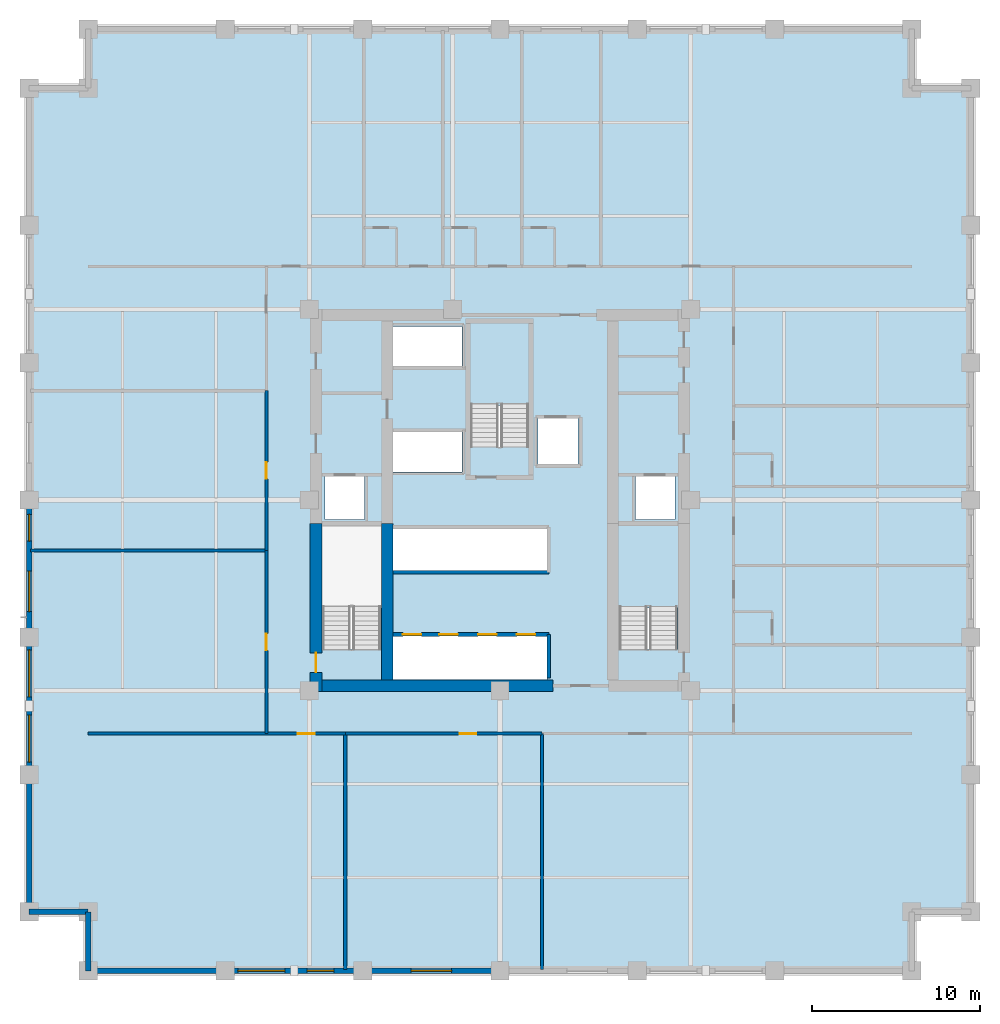
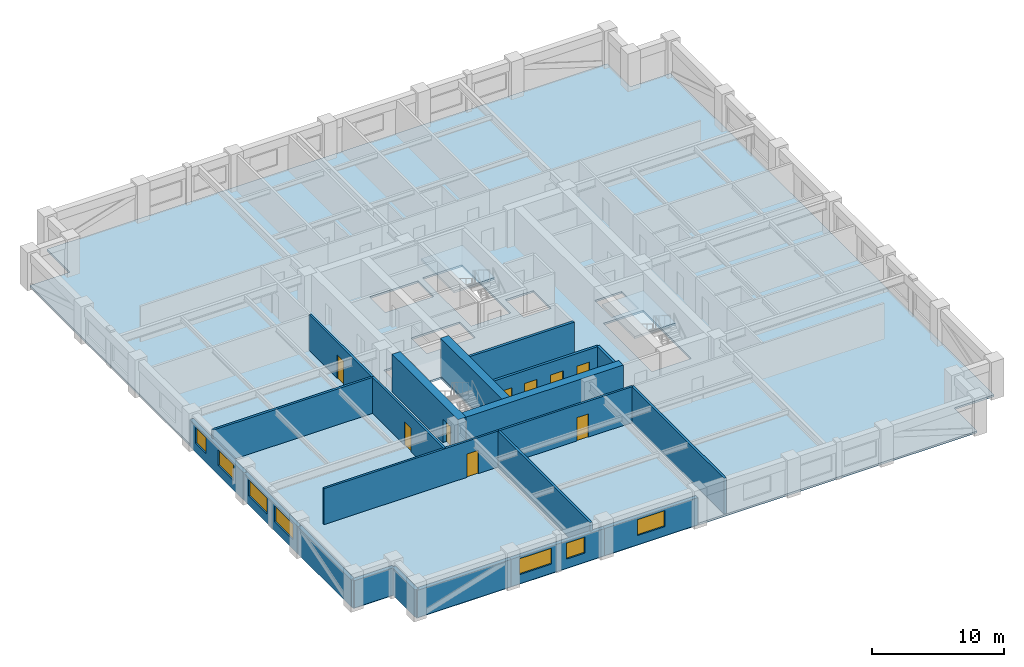
# One storey, part 3 of 8: 21 walls, 9 doors, 7 windows, 3 slabs, 16 openings, 2 elements without a shape of their own.
"""IFC4 building model written with IfcOpenShell, lengths in metres."""

from ifc_helpers import new_model, si_unit, direction, frame, frame_2d, origin, place, context, subcontext, project, spatial, polyline, rectangle, outline, extrude, material, layer, layer_set, type_object, element, fill, aggregate, save


model = new_model("IFC4")

# Units and contexts
model_context = context("Model", 3, precision=1e-05, world=origin(), true_north=direction((0.0, 1.0)))
body_context = subcontext(model_context, "Body", "Model", "MODEL_VIEW")
ifc_project = project(units=[si_unit("LENGTHUNIT", "METRE"), si_unit("AREAUNIT", "SQUARE_METRE"), si_unit("VOLUMEUNIT", "CUBIC_METRE"), si_unit("PLANEANGLEUNIT", "RADIAN"), si_unit("MASSUNIT", "GRAM", prefix="KILO")], contexts=[model_context])

# Site, building, storey
site_placement = place(None, origin())
site = spatial("IfcSite", under=ifc_project, at=site_placement, CompositionType="ELEMENT")
building_placement = place(site_placement, origin())
building = spatial("IfcBuilding", under=site, at=building_placement, Name="Nhamokura Convention Tower", CompositionType="ELEMENT")
storey_placement = place(building_placement, frame((0.0, 0.0, 56.35009765625)))
storey = spatial("IfcBuildingStorey", under=building, at=storey_placement, Name="L12", CompositionType="ELEMENT", Elevation=56.35009765625)

# Slab
ifc_material_1 = material(Name="Concrete C40/50", Category="concrete")
ifc_layer_1 = layer(ifc_material_1, 0.179931640625)
ifc_layer_set_1 = layer_set([ifc_layer_1], Name="HotelFloorSlab_180")
slab_type_1 = type_object("IfcSlabType", Name="HotelFloorSlab_180", PredefinedType="FLOOR", material=ifc_layer_set_1)
slab_1_placement = place(storey_placement, frame((0.0, 0.0, -0.18017578125)))
element("IfcSlab", 1, at=slab_1_placement, inside=storey, type_object=slab_type_1, Name="L12 Structural Floor Slab", PredefinedType="FLOOR", context=body_context, shape_type="SweptSolid", body=[
    extrude(outline(polyline([(7.5, 4.0), (56.5, 4.0), (56.5, 7.5), (60.0, 7.5), (60.0, 56.5), (56.5, 56.5), (56.5, 60.0), (7.5, 60.0), (7.5, 56.5), (4.0, 56.5), (4.0, 7.5), (7.5, 7.5), (7.5, 4.0)]), holes=[polyline([(24.89990234375, 23.10009765625), (24.89990234375, 30.449951171875), (21.449951171875, 30.449951171875), (21.449951171875, 23.10009765625), (24.89990234375, 23.10009765625)]), polyline([(42.550048828125, 23.10009765625), (42.550048828125, 30.449951171875), (39.10009765625, 30.449951171875), (39.10009765625, 23.10009765625), (42.550048828125, 23.10009765625)]), polyline([(33.699951171875, 35.14990234375), (33.699951171875, 42.5), (30.25, 42.5), (30.25, 35.14990234375), (33.699951171875, 35.14990234375)]), polyline([(21.60009765625, 30.85009765625), (23.949951171875, 30.85009765625), (23.949951171875, 33.39990234375), (21.60009765625, 33.39990234375), (21.60009765625, 30.85009765625)]), polyline([(40.050048828125, 30.85009765625), (42.39990234375, 30.85009765625), (42.39990234375, 33.39990234375), (40.050048828125, 33.39990234375), (40.050048828125, 30.85009765625)]), polyline([(34.25, 34.14990234375), (36.64990234375, 34.14990234375), (36.64990234375, 36.85009765625), (34.25, 36.85009765625), (34.25, 34.14990234375)]), polyline([(25.52001953125, 21.320068359375), (34.800048828125, 21.320068359375), (34.800048828125, 23.89990234375), (25.52001953125, 23.89990234375), (25.52001953125, 21.320068359375)]), polyline([(25.52001953125, 27.800048828125), (34.800048828125, 27.800048828125), (34.800048828125, 30.300048828125), (25.52001953125, 30.300048828125), (25.52001953125, 27.800048828125)]), polyline([(25.52001953125, 33.679931640625), (29.75, 33.679931640625), (29.75, 36.050048828125), (25.52001953125, 36.050048828125), (25.52001953125, 33.679931640625)]), polyline([(25.52001953125, 39.949951171875), (29.75, 39.949951171875), (29.75, 42.320068359375), (25.52001953125, 42.320068359375), (25.52001953125, 39.949951171875)])]), origin(), (0.0, 0.0, 1.0), 0.18017578125),
])

# Stair, slab
ifc_material_2 = material(Name="Concrete C40/50", Category="concrete")
stair_type = type_object("IfcStairType", Name="TowerCoreStair_1650", PredefinedType="HALF_TURN_STAIR", material=ifc_material_2)
stair_1_placement = place(storey_placement, origin())
stair_1 = element("IfcStair", 2, at=stair_1_placement, inside=storey, type_object=stair_type, Name="L12 East Core Smokeproof Stair ST-02", PredefinedType="HALF_TURN_STAIR")
ifc_material_3 = material(Name="Concrete C40/50", Category="concrete")
ifc_layer_2 = layer(ifc_material_3, 0.199951171875)
ifc_layer_set_2 = layer_set([ifc_layer_2], Name="StairLandingSlab_200")
slab_type_2 = type_object("IfcSlabType", Name="StairLandingSlab_200", PredefinedType="LANDING", material=ifc_layer_set_2)
slab_2_placement = place(storey_placement, frame((0.0, 0.0, 1.5498046875)))
slab_2 = element("IfcSlab", 3, at=slab_2_placement, type_object=slab_type_2, Name="ST-02 landing 1", PredefinedType="LANDING", context=body_context, shape_type="SweptSolid", body=[
    extrude(outline(polyline([(42.6298828125, 25.5849609375), (42.6298828125, 30.530029296875), (39.02001953125, 30.530029296875), (39.02001953125, 25.5849609375), (42.6298828125, 25.5849609375)])), origin(), (0.0, 0.0, 1.0), 0.2001953125),
])
aggregate(stair_1, [slab_2])

stair_2_placement = place(storey_placement, origin())
stair_2 = element("IfcStair", 4, at=stair_2_placement, inside=storey, type_object=stair_type, Name="L12 North Core Smokeproof Stair ST-03", PredefinedType="HALF_TURN_STAIR")
slab_3_placement = place(storey_placement, frame((0.0, 0.0, 1.5498046875)))
slab_3 = element("IfcSlab", 5, at=slab_3_placement, type_object=slab_type_2, Name="ST-03 landing 1", PredefinedType="LANDING", context=body_context, shape_type="SweptSolid", body=[
    extrude(outline(polyline([(33.780029296875, 37.635009765625), (33.780029296875, 42.580078125), (30.169921875, 42.580078125), (30.169921875, 37.635009765625), (33.780029296875, 37.635009765625)])), origin(), (0.0, 0.0, 1.0), 0.2001953125),
])
aggregate(stair_2, [slab_3])

# Wall
ifc_material_4 = material(Name="Bronze-pigmented precast concrete C45/55", Category="concrete")
ifc_layer_3 = layer(ifc_material_4, 0.320068359375)
ifc_layer_set_3 = layer_set([ifc_layer_3], Name="BronzePrecastSpandrel_320")
wall_type_1 = type_object("IfcWallType", Name="BronzePrecastSpandrel_320", PredefinedType="USERDEFINED", material=ifc_layer_set_3)
wall_1_placement = place(storey_placement, frame((15.666748046875, 4.0, 0.0), z_axis=(0.0, 0.0, 1.0), x_axis=(-1.0, 0.0, 0.0)))
element("IfcWall", 6, at=wall_1_placement, inside=storey, type_object=wall_type_1, Name="L12 Braced-Bay Precast Wall SOUTH 0", ObjectType="SPANDREL_WALL", PredefinedType="USERDEFINED", context=body_context, shape_type="SweptSolid", body=[
    extrude(rectangle(XDim=8.166748046875, YDim=0.320068359375, at=frame_2d((4.08349609375, 0.0))), origin(), (0.0, 0.0, 1.0), 2.52001953125),
])

# Wall, openings, windows
wall_2_placement = place(storey_placement, frame((23.833251953125, 4.0, 0.0), z_axis=(0.0, 0.0, 1.0), x_axis=(-1.0, 0.0, 0.0)))
wall_2 = element("IfcWall", 7, at=wall_2_placement, inside=storey, type_object=wall_type_1, Name="L12 Masonry-Frame Wall SOUTH 1", ObjectType="SPANDREL_WALL", PredefinedType="USERDEFINED", context=body_context, shape_type="SweptSolid", body=[
    extrude(rectangle(XDim=8.16650390625, YDim=0.320068359375, at=frame_2d((4.083251953125, 0.0))), origin(), (0.0, 0.0, 1.0), 2.52001953125),
])
opening_1_placement = place(wall_2_placement, frame((1.708251953125, 0.0, 0.85009765625)))
opening_1 = element("IfcOpeningElement", 8, at=opening_1_placement, cuts=wall_2, Name="Opening W-11", PredefinedType="OPENING", context=body_context, shape_type="SweptSolid", body=[
    extrude(rectangle(XDim=1.60009765625, YDim=1.469970703125, at=frame_2d((0.800048828125, 0.73486328125))), frame((0.0, 0.169921875, 0.0), z_axis=(0.0, -1.0, 0.0), x_axis=(1.0, 0.0, 0.0)), (0.0, 0.0, 1.0), 0.340087890625),
])
opening_2_placement = place(wall_2_placement, frame((4.625, 0.0, 0.85009765625)))
opening_2 = element("IfcOpeningElement", 9, at=opening_2_placement, cuts=wall_2, Name="Opening W-04", PredefinedType="OPENING", context=body_context, shape_type="SweptSolid", body=[
    extrude(rectangle(XDim=2.800048828125, YDim=1.469970703125, at=frame_2d((1.39990234375, 0.73486328125))), frame((0.0, 0.169921875, 0.0), z_axis=(0.0, -1.0, 0.0), x_axis=(1.0, 0.0, 0.0)), (0.0, 0.0, 1.0), 0.340087890625),
])
ifc_material_5 = material(Name="Solar-control bronze low-E double glass", Category="glass")
window_type_1 = type_object("IfcWindowType", Name="HotelSuiteWindow_2800", PartitioningType="DOUBLE_PANEL_VERTICAL", PredefinedType="WINDOW", material=ifc_material_5)
window_1_placement = place(opening_2_placement, origin())
window_1 = element("IfcWindow", 10, at=window_1_placement, inside=storey, type_object=window_type_1, Name="L12 Facade Window SOUTH 1-3", OverallHeight=1.469970703125, OverallWidth=2.800048828125, PartitioningType="SINGLE_PANEL", PredefinedType="WINDOW", context=body_context, shape_type="SweptSolid", body=[
    extrude(rectangle(XDim=2.800048828125, YDim=1.469970703125, at=frame_2d((1.39990234375, 0.73486328125))), frame((0.0, 0.030029296875, 0.0), z_axis=(0.0, -1.0, 0.0), x_axis=(1.0, 0.0, 0.0)), (0.0, 0.0, 1.0), 0.06005859375),
])
fill(opening_2, window_1)
ifc_material_6 = material(Name="Solar-control bronze low-E double glass", Category="glass")
window_type_2 = type_object("IfcWindowType", Name="NotchCornerWindow_1600", PartitioningType="SINGLE_PANEL", PredefinedType="WINDOW", material=ifc_material_6)
window_2_placement = place(opening_1_placement, origin())
window_2 = element("IfcWindow", 11, at=window_2_placement, inside=storey, type_object=window_type_2, Name="L12 Facade Window SOUTH 1-2", OverallHeight=1.469970703125, OverallWidth=1.60009765625, PartitioningType="SINGLE_PANEL", PredefinedType="WINDOW", context=body_context, shape_type="SweptSolid", body=[
    extrude(rectangle(XDim=1.60009765625, YDim=1.469970703125, at=frame_2d((0.800048828125, 0.73486328125))), frame((0.0, 0.030029296875, 0.0), z_axis=(0.0, -1.0, 0.0), x_axis=(1.0, 0.0, 0.0)), (0.0, 0.0, 1.0), 0.06005859375),
])
fill(opening_1, window_2)

# Wall, opening, window
wall_3_placement = place(storey_placement, frame((32.0, 4.0, 0.0), z_axis=(0.0, 0.0, 1.0), x_axis=(-1.0, 0.0, 0.0)))
wall_3 = element("IfcWall", 12, at=wall_3_placement, inside=storey, type_object=wall_type_1, Name="L12 Masonry-Frame Wall SOUTH 2", ObjectType="SPANDREL_WALL", PredefinedType="USERDEFINED", context=body_context, shape_type="SweptSolid", body=[
    extrude(rectangle(XDim=8.166748046875, YDim=0.320068359375, at=frame_2d((4.08349609375, 0.0))), origin(), (0.0, 0.0, 1.0), 2.52001953125),
])
opening_3_placement = place(wall_3_placement, frame((2.88330078125, 0.0, 0.85009765625)))
opening_3 = element("IfcOpeningElement", 13, at=opening_3_placement, cuts=wall_3, Name="Opening W-03", PredefinedType="OPENING", context=body_context, shape_type="SweptSolid", body=[
    extrude(rectangle(XDim=2.39990234375, YDim=1.469970703125, at=frame_2d((1.199951171875, 0.73486328125))), frame((0.0, 0.169921875, 0.0), z_axis=(0.0, -1.0, 0.0), x_axis=(1.0, 0.0, 0.0)), (0.0, 0.0, 1.0), 0.340087890625),
])
ifc_material_7 = material(Name="Solar-control bronze low-E double glass", Category="glass")
window_type_3 = type_object("IfcWindowType", Name="HotelBayWindow_2400", PartitioningType="DOUBLE_PANEL_VERTICAL", PredefinedType="WINDOW", material=ifc_material_7)
window_3_placement = place(opening_3_placement, origin())
window_3 = element("IfcWindow", 14, at=window_3_placement, inside=storey, type_object=window_type_3, Name="L12 Facade Window SOUTH 2", OverallHeight=1.469970703125, OverallWidth=2.39990234375, PartitioningType="SINGLE_PANEL", PredefinedType="WINDOW", context=body_context, shape_type="SweptSolid", body=[
    extrude(rectangle(XDim=2.39990234375, YDim=1.469970703125, at=frame_2d((1.199951171875, 0.73486328125))), frame((0.0, 0.030029296875, 0.0), z_axis=(0.0, -1.0, 0.0), x_axis=(1.0, 0.0, 0.0)), (0.0, 0.0, 1.0), 0.06005859375),
])
fill(opening_3, window_3)

# Wall
wall_4_placement = place(storey_placement, frame((4.0, 7.5, 0.0), z_axis=(0.0, 0.0, 1.0), x_axis=(0.0, 1.0, 0.0)))
element("IfcWall", 15, at=wall_4_placement, inside=storey, type_object=wall_type_1, Name="L12 Braced-Bay Precast Wall WEST 0", ObjectType="SPANDREL_WALL", PredefinedType="USERDEFINED", context=body_context, shape_type="SweptSolid", body=[
    extrude(rectangle(XDim=8.166748046875, YDim=0.320068359375, at=frame_2d((4.08349609375, 0.0))), origin(), (0.0, 0.0, 1.0), 2.52001953125),
])

# Wall, openings, windows
wall_5_placement = place(storey_placement, frame((4.0, 15.666748046875, 0.0), z_axis=(0.0, 0.0, 1.0), x_axis=(0.0, 1.0, 0.0)))
wall_5 = element("IfcWall", 16, at=wall_5_placement, inside=storey, type_object=wall_type_1, Name="L12 Masonry-Frame Wall WEST 1", ObjectType="SPANDREL_WALL", PredefinedType="USERDEFINED", context=body_context, shape_type="SweptSolid", body=[
    extrude(rectangle(XDim=8.16650390625, YDim=0.320068359375, at=frame_2d((4.083251953125, 0.0))), origin(), (0.0, 0.0, 1.0), 2.52001953125),
])
opening_4_placement = place(wall_5_placement, frame((0.74169921875, 0.0, 0.85009765625)))
opening_4 = element("IfcOpeningElement", 17, at=opening_4_placement, cuts=wall_5, Name="Opening W-04", PredefinedType="OPENING", context=body_context, shape_type="SweptSolid", body=[
    extrude(rectangle(XDim=2.800048828125, YDim=1.469970703125, at=frame_2d((1.39990234375, 0.73486328125))), frame((0.0, 0.169921875, 0.0), z_axis=(0.0, -1.0, 0.0), x_axis=(1.0, 0.0, 0.0)), (0.0, 0.0, 1.0), 0.340087890625),
])
opening_5_placement = place(wall_5_placement, frame((4.625, 0.0, 0.85009765625)))
opening_5 = element("IfcOpeningElement", 18, at=opening_5_placement, cuts=wall_5, Name="Opening W-04", PredefinedType="OPENING", context=body_context, shape_type="SweptSolid", body=[
    extrude(rectangle(XDim=2.800048828125, YDim=1.469970703125, at=frame_2d((1.39990234375, 0.73486328125))), frame((0.0, 0.169921875, 0.0), z_axis=(0.0, -1.0, 0.0), x_axis=(1.0, 0.0, 0.0)), (0.0, 0.0, 1.0), 0.340087890625),
])
window_4_placement = place(opening_4_placement, origin())
window_4 = element("IfcWindow", 19, at=window_4_placement, inside=storey, type_object=window_type_1, Name="L12 Facade Window WEST 1-1", OverallHeight=1.469970703125, OverallWidth=2.800048828125, PartitioningType="SINGLE_PANEL", PredefinedType="WINDOW", context=body_context, shape_type="SweptSolid", body=[
    extrude(rectangle(XDim=2.800048828125, YDim=1.469970703125, at=frame_2d((1.39990234375, 0.73486328125))), frame((0.0, 0.030029296875, 0.0), z_axis=(0.0, -1.0, 0.0), x_axis=(1.0, 0.0, 0.0)), (0.0, 0.0, 1.0), 0.06005859375),
])
fill(opening_4, window_4)
window_5_placement = place(opening_5_placement, origin())
window_5 = element("IfcWindow", 20, at=window_5_placement, inside=storey, type_object=window_type_1, Name="L12 Facade Window WEST 1-2", OverallHeight=1.469970703125, OverallWidth=2.800048828125, PartitioningType="SINGLE_PANEL", PredefinedType="WINDOW", context=body_context, shape_type="SweptSolid", body=[
    extrude(rectangle(XDim=2.800048828125, YDim=1.469970703125, at=frame_2d((1.39990234375, 0.73486328125))), frame((0.0, 0.030029296875, 0.0), z_axis=(0.0, -1.0, 0.0), x_axis=(1.0, 0.0, 0.0)), (0.0, 0.0, 1.0), 0.06005859375),
])
fill(opening_5, window_5)

wall_6_placement = place(storey_placement, frame((4.0, 23.833251953125, 0.0), z_axis=(0.0, 0.0, 1.0), x_axis=(0.0, 1.0, 0.0)))
wall_6 = element("IfcWall", 21, at=wall_6_placement, inside=storey, type_object=wall_type_1, Name="L12 Masonry-Frame Wall WEST 2", ObjectType="SPANDREL_WALL", PredefinedType="USERDEFINED", context=body_context, shape_type="SweptSolid", body=[
    extrude(rectangle(XDim=8.166748046875, YDim=0.320068359375, at=frame_2d((4.08349609375, 0.0))), origin(), (0.0, 0.0, 1.0), 2.52001953125),
])
opening_6_placement = place(wall_6_placement, frame((1.533203125, 0.0, 0.85009765625)))
opening_6 = element("IfcOpeningElement", 22, at=opening_6_placement, cuts=wall_6, Name="Opening W-03", PredefinedType="OPENING", context=body_context, shape_type="SweptSolid", body=[
    extrude(rectangle(XDim=2.39990234375, YDim=1.469970703125, at=frame_2d((1.199951171875, 0.73486328125))), frame((0.0, 0.169921875, 0.0), z_axis=(0.0, -1.0, 0.0), x_axis=(1.0, 0.0, 0.0)), (0.0, 0.0, 1.0), 0.340087890625),
])
opening_7_placement = place(wall_6_placement, frame((5.716796875, 0.0, 0.85009765625)))
opening_7 = element("IfcOpeningElement", 23, at=opening_7_placement, cuts=wall_6, Name="Opening W-11", PredefinedType="OPENING", context=body_context, shape_type="SweptSolid", body=[
    extrude(rectangle(XDim=1.60009765625, YDim=1.469970703125, at=frame_2d((0.800048828125, 0.73486328125))), frame((0.0, 0.169921875, 0.0), z_axis=(0.0, -1.0, 0.0), x_axis=(1.0, 0.0, 0.0)), (0.0, 0.0, 1.0), 0.340087890625),
])
window_6_placement = place(opening_6_placement, origin())
window_6 = element("IfcWindow", 24, at=window_6_placement, inside=storey, type_object=window_type_3, Name="L12 Facade Window WEST 2-1", OverallHeight=1.469970703125, OverallWidth=2.39990234375, PartitioningType="SINGLE_PANEL", PredefinedType="WINDOW", context=body_context, shape_type="SweptSolid", body=[
    extrude(rectangle(XDim=2.39990234375, YDim=1.469970703125, at=frame_2d((1.199951171875, 0.73486328125))), frame((0.0, 0.030029296875, 0.0), z_axis=(0.0, -1.0, 0.0), x_axis=(1.0, 0.0, 0.0)), (0.0, 0.0, 1.0), 0.06005859375),
])
fill(opening_6, window_6)
window_7_placement = place(opening_7_placement, origin())
window_7 = element("IfcWindow", 25, at=window_7_placement, inside=storey, type_object=window_type_2, Name="L12 Facade Window WEST 2-2", OverallHeight=1.469970703125, OverallWidth=1.60009765625, PartitioningType="SINGLE_PANEL", PredefinedType="WINDOW", context=body_context, shape_type="SweptSolid", body=[
    extrude(rectangle(XDim=1.60009765625, YDim=1.469970703125, at=frame_2d((0.800048828125, 0.73486328125))), frame((0.0, 0.030029296875, 0.0), z_axis=(0.0, -1.0, 0.0), x_axis=(1.0, 0.0, 0.0)), (0.0, 0.0, 1.0), 0.06005859375),
])
fill(opening_7, window_7)

# Walls
for number, where, z_axis, x_axis, name in (
    (26, (7.5, 4.0, 0.0), (0.0, 0.0, 1.0), (0.0, 1.0, 0.0), "L12 Notched Corner Wall SW1"),
    (27, (7.5, 7.5, 0.0), (0.0, 0.0, 1.0), (-1.0, 0.0, 0.0), "L12 Notched Corner Wall SW2"),
):
    element("IfcWall", number, at=place(storey_placement, frame(where, z_axis=z_axis, x_axis=x_axis)), inside=storey, type_object=wall_type_1, Name=name, ObjectType="SPANDREL_WALL", PredefinedType="USERDEFINED", context=body_context, shape_type="SweptSolid", body=[
        extrude(rectangle(XDim=3.5, YDim=0.320068359375, at=frame_2d((1.75, 0.0))), origin(), (0.0, 0.0, 1.0), 2.52001953125),
    ])

# Wall, opening, door
ifc_material_8 = material(Name="Concrete C70/85", Category="concrete")
ifc_layer_4 = layer(ifc_material_8, 0.699951171875)
ifc_layer_set_4 = layer_set([ifc_layer_4], Name="CoreShearWall_700")
wall_type_2 = type_object("IfcWallType", Name="CoreShearWall_700", PredefinedType="SHEAR", material=ifc_layer_set_4)
wall_7_placement = place(storey_placement, frame((21.06005859375, 20.60009765625, 0.0), z_axis=(0.0, 0.0, 1.0), x_axis=(0.0, 1.0, 0.0)))
wall_7 = element("IfcWall", 28, at=wall_7_placement, inside=storey, type_object=wall_type_2, Name="L12 Core Shear Wall CW-WS", PredefinedType="SHEAR", context=body_context, shape_type="SweptSolid", body=[
    extrude(rectangle(XDim=10.0, YDim=0.699951171875, at=frame_2d((5.0, 0.0))), origin(), (0.0, 0.0, 1.0), 3.5),
])
opening_8_placement = place(wall_7_placement, frame((1.14990234375, 0.0, 0.0)))
opening_8 = element("IfcOpeningElement", 29, at=opening_8_placement, cuts=wall_7, Name="Opening D-04", PredefinedType="OPENING", context=body_context, shape_type="SweptSolid", body=[
    extrude(rectangle(XDim=1.14990234375, YDim=2.14990234375, at=frame_2d((0.574951171875, 1.074951171875))), frame((0.0, 0.35986328125, 0.0), z_axis=(0.0, -1.0, 0.0), x_axis=(1.0, 0.0, 0.0)), (0.0, 0.0, 1.0), 0.719970703125),
])
ifc_material_9 = material(Name="Fire-rated steel door", Category="steel")
door_type_1 = type_object("IfcDoorType", Name="StairSmokeDoor_1150", OperationType="NOTDEFINED", PredefinedType="DOOR", material=ifc_material_9)
door_1_placement = place(opening_8_placement, origin())
door_1 = element("IfcDoor", 30, at=door_1_placement, inside=storey, type_object=door_type_1, Name="L12 Core Door INT-L12-D-ST01", OperationType="SINGLE_SWING_LEFT", OverallHeight=2.14990234375, OverallWidth=1.14990234375, PredefinedType="DOOR", context=body_context, shape_type="SweptSolid", body=[
    extrude(rectangle(XDim=1.14990234375, YDim=2.14990234375, at=frame_2d((0.574951171875, 1.074951171875))), frame((0.0, 0.02490234375, 0.0), z_axis=(0.0, -1.0, 0.0), x_axis=(1.0, 0.0, 0.0)), (0.0, 0.0, 1.0), 0.050048828125),
])
fill(opening_8, door_1)

# Walls
wall_8_placement = place(storey_placement, frame((21.409912109375, 20.949951171875, 0.0), z_axis=(0.0, 0.0, 1.0), x_axis=(1.0, 0.0, 0.0)))
element("IfcWall", 31, at=wall_8_placement, inside=storey, type_object=wall_type_2, Name="L12 Core Shear Wall CW-S1", PredefinedType="SHEAR", context=body_context, shape_type="SweptSolid", body=[
    extrude(rectangle(XDim=13.739990234375, YDim=0.699951171875, at=frame_2d((6.8701171875, 0.0))), origin(), (0.0, 0.0, 1.0), 3.5),
])
wall_9_placement = place(storey_placement, frame((25.2900390625, 21.300048828125, 0.0), z_axis=(0.0, 0.0, 1.0), x_axis=(0.0, 1.0, 0.0)))
element("IfcWall", 32, at=wall_9_placement, inside=storey, type_object=wall_type_2, Name="L12 Core Shear Wall CW-IWS", PredefinedType="SHEAR", context=body_context, shape_type="SweptSolid", body=[
    extrude(rectangle(XDim=9.300048828125, YDim=0.699951171875, at=frame_2d((4.64990234375, 0.0))), origin(), (0.0, 0.0, 1.0), 3.5),
])

# Wall, opening, door
ifc_material_10 = material(Name="Fire-rated gypsum and masonry partition", Category="masonry")
ifc_layer_5 = layer(ifc_material_10, 0.179931640625)
ifc_layer_set_5 = layer_set([ifc_layer_5], Name="CorridorRatedWall_180")
wall_type_3 = type_object("IfcWallType", Name="CorridorRatedWall_180", PredefinedType="STANDARD", material=ifc_layer_set_5)
wall_10_placement = place(storey_placement, frame((7.5, 18.10009765625, 0.0), z_axis=(0.0, 0.0, 1.0), x_axis=(1.0, 0.0, 0.0)))
wall_10 = element("IfcWall", 33, at=wall_10_placement, inside=storey, type_object=wall_type_3, Name="L12 Wall INT-L12-CW-S00", PredefinedType="STANDARD", context=body_context, shape_type="SweptSolid", body=[
    extrude(rectangle(XDim=15.300048828125, YDim=0.179931640625, at=frame_2d((7.64990234375, 0.0))), origin(), (0.0, 0.0, 1.0), 3.31982421875),
])
opening_9_placement = place(wall_10_placement, frame((12.47509765625, 0.0, 0.0)))
opening_9 = element("IfcOpeningElement", 34, at=opening_9_placement, cuts=wall_10, Name="Opening D-07", PredefinedType="OPENING", context=body_context, shape_type="SweptSolid", body=[
    extrude(rectangle(XDim=1.0, YDim=2.14990234375, at=frame_2d((0.5, 1.074951171875))), frame((0.0, 0.099853515625, 0.0), z_axis=(0.0, -1.0, 0.0), x_axis=(1.0, 0.0, 0.0)), (0.0, 0.0, 1.0), 0.199951171875),
])
ifc_material_11 = material(Name="Solid oak hardwood", Category="wood")
door_type_2 = type_object("IfcDoorType", Name="HotelSuiteEntryDoor_1000", OperationType="NOTDEFINED", PredefinedType="DOOR", material=ifc_material_11)
door_2_placement = place(opening_9_placement, origin())
door_2 = element("IfcDoor", 35, at=door_2_placement, inside=storey, type_object=door_type_2, Name="L12 Conference Salon S01 Door", OperationType="SINGLE_SWING_LEFT", OverallHeight=2.14990234375, OverallWidth=1.0, PredefinedType="DOOR", context=body_context, shape_type="SweptSolid", body=[
    extrude(rectangle(XDim=1.0, YDim=2.14990234375, at=frame_2d((0.5, 1.074951171875))), frame((0.0, 0.02490234375, 0.0), z_axis=(0.0, -1.0, 0.0), x_axis=(1.0, 0.0, 0.0)), (0.0, 0.0, 1.0), 0.050048828125),
])
fill(opening_9, door_2)

wall_11_placement = place(storey_placement, frame((22.800048828125, 18.10009765625, 0.0), z_axis=(0.0, 0.0, 1.0), x_axis=(1.0, 0.0, 0.0)))
wall_11 = element("IfcWall", 36, at=wall_11_placement, inside=storey, type_object=wall_type_3, Name="L12 Wall INT-L12-CW-S01", PredefinedType="STANDARD", context=body_context, shape_type="SweptSolid", body=[
    extrude(rectangle(XDim=11.699951171875, YDim=0.179931640625, at=frame_2d((5.85009765625, 0.0))), origin(), (0.0, 0.0, 1.0), 3.31982421875),
])
opening_10_placement = place(wall_11_placement, frame((6.800048828125, 0.0, 0.0)))
opening_10 = element("IfcOpeningElement", 37, at=opening_10_placement, cuts=wall_11, Name="Opening D-07", PredefinedType="OPENING", context=body_context, shape_type="SweptSolid", body=[
    extrude(rectangle(XDim=1.0, YDim=2.14990234375, at=frame_2d((0.5, 1.074951171875))), frame((0.0, 0.099853515625, 0.0), z_axis=(0.0, -1.0, 0.0), x_axis=(1.0, 0.0, 0.0)), (0.0, 0.0, 1.0), 0.199951171875),
])
door_3_placement = place(opening_10_placement, origin())
door_3 = element("IfcDoor", 38, at=door_3_placement, inside=storey, type_object=door_type_2, Name="L12 Conference Salon S02 Door", OperationType="SINGLE_SWING_RIGHT", OverallHeight=2.14990234375, OverallWidth=1.0, PredefinedType="DOOR", context=body_context, shape_type="SweptSolid", body=[
    extrude(rectangle(XDim=1.0, YDim=2.14990234375, at=frame_2d((0.5, 1.074951171875))), frame((0.0, 0.02490234375, 0.0), z_axis=(0.0, -1.0, 0.0), x_axis=(1.0, 0.0, 0.0)), (0.0, 0.0, 1.0), 0.050048828125),
])
fill(opening_10, door_3)

wall_12_placement = place(storey_placement, frame((18.10009765625, 18.10009765625, 0.0), z_axis=(0.0, 0.0, 1.0), x_axis=(0.0, 1.0, 0.0)))
wall_12 = element("IfcWall", 39, at=wall_12_placement, inside=storey, type_object=wall_type_3, Name="L12 Wall INT-L12-CW-W00", PredefinedType="STANDARD", context=body_context, shape_type="SweptSolid", body=[
    extrude(rectangle(XDim=10.89990234375, YDim=0.179931640625, at=frame_2d((5.449951171875, 0.0))), origin(), (0.0, 0.0, 1.0), 3.31982421875),
])
opening_11_placement = place(wall_12_placement, frame((4.949951171875, 0.0, 0.0)))
opening_11 = element("IfcOpeningElement", 40, at=opening_11_placement, cuts=wall_12, Name="Opening D-07", PredefinedType="OPENING", context=body_context, shape_type="SweptSolid", body=[
    extrude(rectangle(XDim=1.0, YDim=2.14990234375, at=frame_2d((0.5, 1.074951171875))), frame((0.0, 0.099853515625, 0.0), z_axis=(0.0, -1.0, 0.0), x_axis=(1.0, 0.0, 0.0)), (0.0, 0.0, 1.0), 0.199951171875),
])
door_4_placement = place(opening_11_placement, origin())
door_4 = element("IfcDoor", 41, at=door_4_placement, inside=storey, type_object=door_type_2, Name="L12 Reading Lounge W01 Door", OperationType="SINGLE_SWING_LEFT", OverallHeight=2.14990234375, OverallWidth=1.0, PredefinedType="DOOR", context=body_context, shape_type="SweptSolid", body=[
    extrude(rectangle(XDim=1.0, YDim=2.14990234375, at=frame_2d((0.5, 1.074951171875))), frame((0.0, 0.02490234375, 0.0), z_axis=(0.0, -1.0, 0.0), x_axis=(1.0, 0.0, 0.0)), (0.0, 0.0, 1.0), 0.050048828125),
])
fill(opening_11, door_4)

wall_13_placement = place(storey_placement, frame((18.10009765625, 29.0, 0.0), z_axis=(0.0, 0.0, 1.0), x_axis=(0.0, 1.0, 0.0)))
wall_13 = element("IfcWall", 42, at=wall_13_placement, inside=storey, type_object=wall_type_3, Name="L12 Wall INT-L12-CW-W01", PredefinedType="STANDARD", context=body_context, shape_type="SweptSolid", body=[
    extrude(rectangle(XDim=9.5, YDim=0.179931640625, at=frame_2d((4.75, 0.0))), origin(), (0.0, 0.0, 1.0), 3.31982421875),
])
opening_12_placement = place(wall_13_placement, frame((4.25, 0.0, 0.0)))
opening_12 = element("IfcOpeningElement", 43, at=opening_12_placement, cuts=wall_13, Name="Opening D-07", PredefinedType="OPENING", context=body_context, shape_type="SweptSolid", body=[
    extrude(rectangle(XDim=1.0, YDim=2.14990234375, at=frame_2d((0.5, 1.074951171875))), frame((0.0, 0.099853515625, 0.0), z_axis=(0.0, -1.0, 0.0), x_axis=(1.0, 0.0, 0.0)), (0.0, 0.0, 1.0), 0.199951171875),
])
door_5_placement = place(opening_12_placement, origin())
door_5 = element("IfcDoor", 44, at=door_5_placement, inside=storey, type_object=door_type_2, Name="L12 Pantry W02 Door", OperationType="SINGLE_SWING_RIGHT", OverallHeight=2.14990234375, OverallWidth=1.0, PredefinedType="DOOR", context=body_context, shape_type="SweptSolid", body=[
    extrude(rectangle(XDim=1.0, YDim=2.14990234375, at=frame_2d((0.5, 1.074951171875))), frame((0.0, 0.02490234375, 0.0), z_axis=(0.0, -1.0, 0.0), x_axis=(1.0, 0.0, 0.0)), (0.0, 0.0, 1.0), 0.050048828125),
])
fill(opening_12, door_5)

# Wall, openings, doors
ifc_material_12 = material(Name="Autoclaved concrete blockwork", Category="masonry")
ifc_layer_6 = layer(ifc_material_12, 0.219970703125)
ifc_layer_set_6 = layer_set([ifc_layer_6], Name="FireLobbyWall_220")
wall_type_4 = type_object("IfcWallType", Name="FireLobbyWall_220", PredefinedType="STANDARD", material=ifc_layer_set_6)
wall_14_placement = place(storey_placement, frame((25.64990234375, 24.0, 0.0), z_axis=(0.0, 0.0, 1.0), x_axis=(1.0, 0.0, 0.0)))
wall_14 = element("IfcWall", 45, at=wall_14_placement, inside=storey, type_object=wall_type_4, Name="L12 Wall INT-L12-B1N", PredefinedType="STANDARD", context=body_context, shape_type="SweptSolid", body=[
    extrude(rectangle(XDim=9.25, YDim=0.219970703125, at=frame_2d((4.625, 0.0))), origin(), (0.0, 0.0, 1.0), 3.31982421875),
])
opening_13_placement = place(wall_14_placement, frame((0.580078125, 0.0, 0.0)))
opening_13 = element("IfcOpeningElement", 46, at=opening_13_placement, cuts=wall_14, Name="Opening LD-01", PredefinedType="OPENING", context=body_context, shape_type="SweptSolid", body=[
    extrude(rectangle(XDim=1.10009765625, YDim=2.14990234375, at=frame_2d((0.550048828125, 1.074951171875))), frame((0.0, 0.119873046875, 0.0), z_axis=(0.0, -1.0, 0.0), x_axis=(1.0, 0.0, 0.0)), (0.0, 0.0, 1.0), 0.239990234375),
])
opening_14_placement = place(wall_14_placement, frame((2.75, 0.0, 0.0)))
opening_14 = element("IfcOpeningElement", 47, at=opening_14_placement, cuts=wall_14, Name="Opening LD-01", PredefinedType="OPENING", context=body_context, shape_type="SweptSolid", body=[
    extrude(rectangle(XDim=1.10009765625, YDim=2.14990234375, at=frame_2d((0.550048828125, 1.074951171875))), frame((0.0, 0.119873046875, 0.0), z_axis=(0.0, -1.0, 0.0), x_axis=(1.0, 0.0, 0.0)), (0.0, 0.0, 1.0), 0.239990234375),
])
opening_15_placement = place(wall_14_placement, frame((5.050048828125, 0.0, 0.0)))
opening_15 = element("IfcOpeningElement", 48, at=opening_15_placement, cuts=wall_14, Name="Opening LD-01", PredefinedType="OPENING", context=body_context, shape_type="SweptSolid", body=[
    extrude(rectangle(XDim=1.10009765625, YDim=2.14990234375, at=frame_2d((0.550048828125, 1.074951171875))), frame((0.0, 0.119873046875, 0.0), z_axis=(0.0, -1.0, 0.0), x_axis=(1.0, 0.0, 0.0)), (0.0, 0.0, 1.0), 0.239990234375),
])
opening_16_placement = place(wall_14_placement, frame((7.35009765625, 0.0, 0.0)))
opening_16 = element("IfcOpeningElement", 49, at=opening_16_placement, cuts=wall_14, Name="Opening LD-01", PredefinedType="OPENING", context=body_context, shape_type="SweptSolid", body=[
    extrude(rectangle(XDim=1.10009765625, YDim=2.14990234375, at=frame_2d((0.550048828125, 1.074951171875))), frame((0.0, 0.119873046875, 0.0), z_axis=(0.0, -1.0, 0.0), x_axis=(1.0, 0.0, 0.0)), (0.0, 0.0, 1.0), 0.239990234375),
])
ifc_material_13 = material(Name="Anodised bronze stainless steel", Category="steel")
door_type_3 = type_object("IfcDoorType", Name="LiftLandingDoor_Passenger", OperationType="DOUBLE_DOOR_SLIDING", PredefinedType="DOOR", material=ifc_material_13)
door_6_placement = place(opening_13_placement, origin())
door_6 = element("IfcDoor", 50, at=door_6_placement, inside=storey, type_object=door_type_3, Name="L12 Lift LP-01 Landing Door", OperationType="DOUBLE_DOOR_SLIDING", OverallHeight=2.14990234375, OverallWidth=1.10009765625, PredefinedType="DOOR", context=body_context, shape_type="SweptSolid", body=[
    extrude(rectangle(XDim=1.10009765625, YDim=2.14990234375, at=frame_2d((0.550048828125, 1.074951171875))), frame((0.0, 0.02490234375, 0.0), z_axis=(0.0, -1.0, 0.0), x_axis=(1.0, 0.0, 0.0)), (0.0, 0.0, 1.0), 0.050048828125),
])
fill(opening_13, door_6)
door_7_placement = place(opening_14_placement, origin())
door_7 = element("IfcDoor", 51, at=door_7_placement, inside=storey, type_object=door_type_3, Name="L12 Lift LP-02 Landing Door", OperationType="DOUBLE_DOOR_SLIDING", OverallHeight=2.14990234375, OverallWidth=1.10009765625, PredefinedType="DOOR", context=body_context, shape_type="SweptSolid", body=[
    extrude(rectangle(XDim=1.10009765625, YDim=2.14990234375, at=frame_2d((0.550048828125, 1.074951171875))), frame((0.0, 0.02490234375, 0.0), z_axis=(0.0, -1.0, 0.0), x_axis=(1.0, 0.0, 0.0)), (0.0, 0.0, 1.0), 0.050048828125),
])
fill(opening_14, door_7)
door_8_placement = place(opening_15_placement, origin())
door_8 = element("IfcDoor", 52, at=door_8_placement, inside=storey, type_object=door_type_3, Name="L12 Lift LP-03 Landing Door", OperationType="DOUBLE_DOOR_SLIDING", OverallHeight=2.14990234375, OverallWidth=1.10009765625, PredefinedType="DOOR", context=body_context, shape_type="SweptSolid", body=[
    extrude(rectangle(XDim=1.10009765625, YDim=2.14990234375, at=frame_2d((0.550048828125, 1.074951171875))), frame((0.0, 0.02490234375, 0.0), z_axis=(0.0, -1.0, 0.0), x_axis=(1.0, 0.0, 0.0)), (0.0, 0.0, 1.0), 0.050048828125),
])
fill(opening_15, door_8)
door_9_placement = place(opening_16_placement, origin())
door_9 = element("IfcDoor", 53, at=door_9_placement, inside=storey, type_object=door_type_3, Name="L12 Lift LP-04 Landing Door", OperationType="DOUBLE_DOOR_SLIDING", OverallHeight=2.14990234375, OverallWidth=1.10009765625, PredefinedType="DOOR", context=body_context, shape_type="SweptSolid", body=[
    extrude(rectangle(XDim=1.10009765625, YDim=2.14990234375, at=frame_2d((0.550048828125, 1.074951171875))), frame((0.0, 0.02490234375, 0.0), z_axis=(0.0, -1.0, 0.0), x_axis=(1.0, 0.0, 0.0)), (0.0, 0.0, 1.0), 0.050048828125),
])
fill(opening_16, door_9)

# Walls
wall_15_placement = place(storey_placement, frame((34.89990234375, 21.39990234375, 0.0), z_axis=(0.0, 0.0, 1.0), x_axis=(0.0, 1.0, 0.0)))
element("IfcWall", 54, at=wall_15_placement, inside=storey, type_object=wall_type_4, Name="L12 Wall INT-L12-B1E", PredefinedType="STANDARD", context=body_context, shape_type="SweptSolid", body=[
    extrude(rectangle(XDim=2.60009765625, YDim=0.219970703125, at=frame_2d((1.300048828125, 0.0))), origin(), (0.0, 0.0, 1.0), 3.31982421875),
])
wall_16_placement = place(storey_placement, frame((25.64990234375, 27.699951171875, 0.0), z_axis=(0.0, 0.0, 1.0), x_axis=(1.0, 0.0, 0.0)))
element("IfcWall", 55, at=wall_16_placement, inside=storey, type_object=wall_type_4, Name="L12 Wall INT-L12-B2S", PredefinedType="STANDARD", context=body_context, shape_type="SweptSolid", body=[
    extrude(rectangle(XDim=9.25, YDim=0.219970703125, at=frame_2d((4.625, 0.0))), origin(), (0.0, 0.0, 1.0), 3.31982421875),
])
ifc_material_14 = material(Name="Acoustic twin-stud gypsum partition", Category="masonry")
ifc_layer_7 = layer(ifc_material_14, 0.199951171875)
ifc_layer_set_7 = layer_set([ifc_layer_7], Name="HotelDemisingWall_200")
wall_type_5 = type_object("IfcWallType", Name="HotelDemisingWall_200", PredefinedType="STANDARD", material=ifc_layer_set_7)
for number, where, z_axis, x_axis, name in (
    (56, (22.800048828125, 4.06005859375, 0.0), (0.0, 0.0, 1.0), (0.0, 1.0, 0.0), "L12 Wall INT-L12-RW-S01"),
    (57, (34.5, 4.06005859375, 0.0), (0.0, 0.0, 1.0), (0.0, 1.0, 0.0), "L12 Wall INT-L12-RW-S02"),
    (58, (4.06005859375, 29.0, 0.0), (0.0, 0.0, 1.0), (1.0, 0.0, 0.0), "L12 Wall INT-L12-RW-W01"),
):
    element("IfcWall", number, at=place(storey_placement, frame(where, z_axis=z_axis, x_axis=x_axis)), inside=storey, type_object=wall_type_5, Name=name, PredefinedType="STANDARD", context=body_context, shape_type="SweptSolid", body=[
        extrude(rectangle(XDim=14.0400390625, YDim=0.199951171875, at=frame_2d((7.02001953125, 0.0))), origin(), (0.0, 0.0, 1.0), 3.31982421875),
    ])

save(model, "model.ifc")
